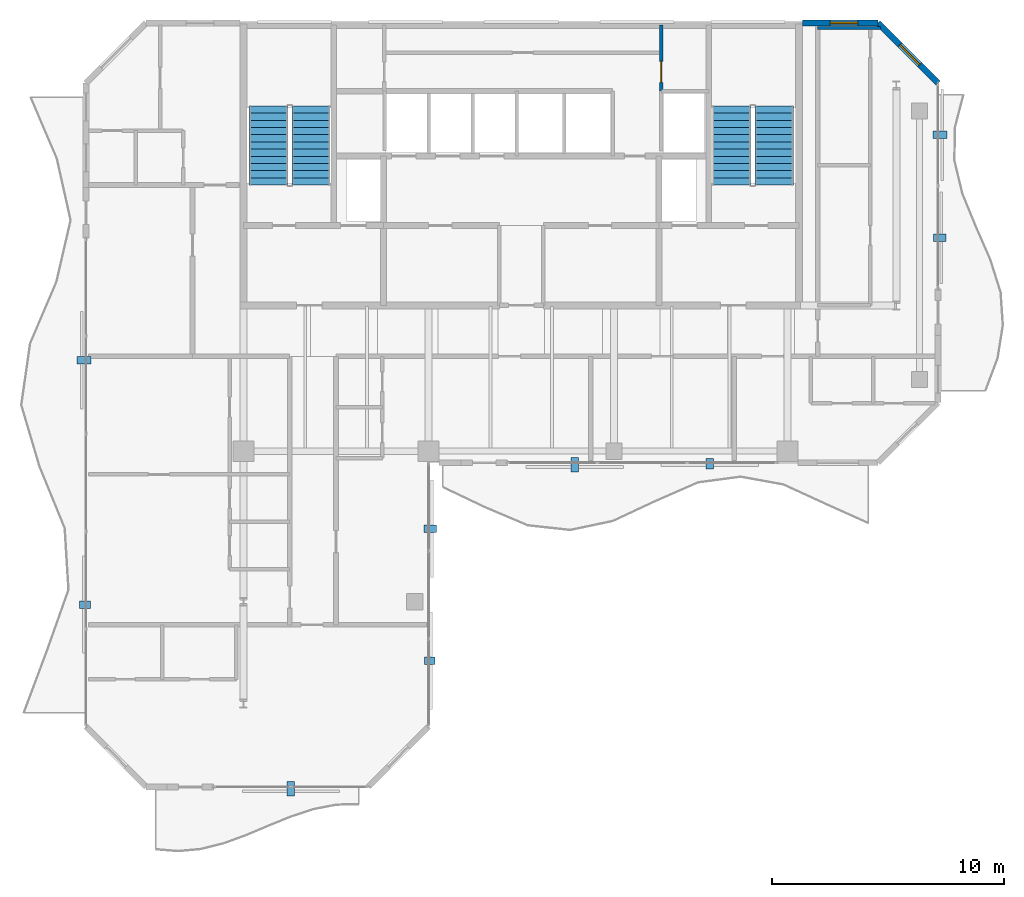
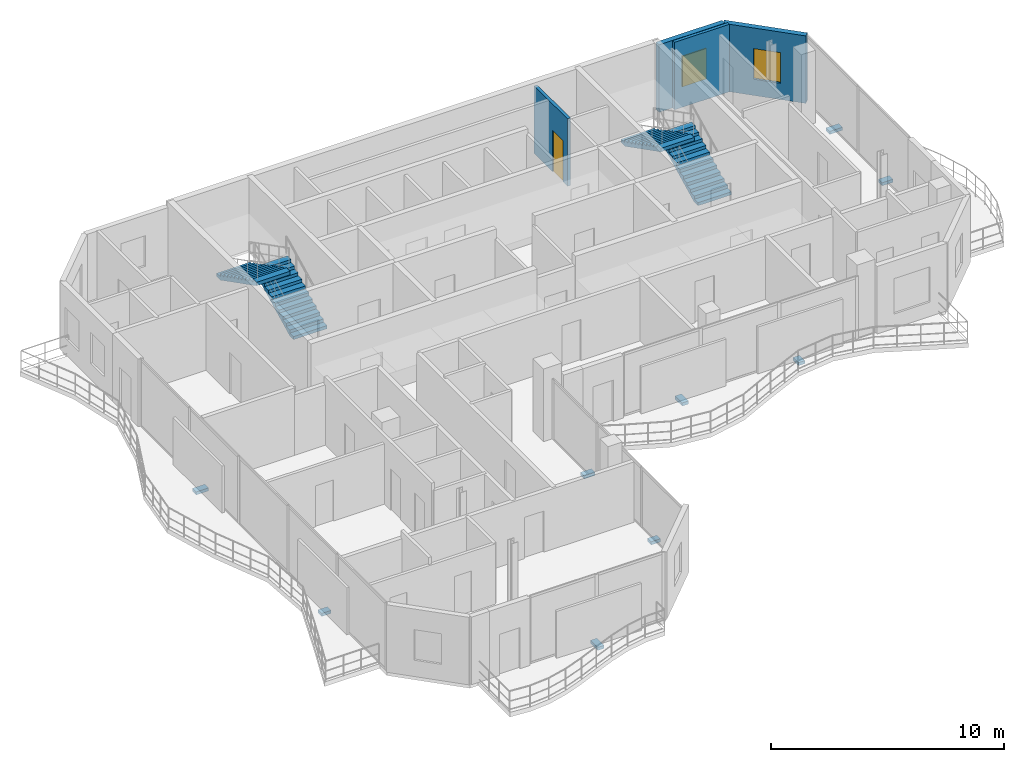
# One storey, part 15 of 17: 9 discrete accessories, 4 stair flights, 4 walls, 2 windows, 1 door, 3 openings, 2 elements without a shape of their own.
"""IFC4 building model written with IfcOpenShell, lengths in metres."""

from ifc_helpers import new_model, si_unit, direction, frame, frame_2d, origin, origin_2d, place, context, subcontext, project, spatial, polyline, rectangle, outline, extrude, material, layer, layer_set, type_object, element, fill, aggregate, save


model = new_model("IFC4")

# Units and contexts
model_context = context("Model", 3, precision=1e-05, world=origin(), true_north=direction((0.0, 1.0)))
body_context = subcontext(model_context, "Body", "Model", "MODEL_VIEW")
ifc_project = project(units=[si_unit("LENGTHUNIT", "METRE"), si_unit("AREAUNIT", "SQUARE_METRE"), si_unit("VOLUMEUNIT", "CUBIC_METRE"), si_unit("PLANEANGLEUNIT", "RADIAN"), si_unit("MASSUNIT", "GRAM", prefix="KILO")], contexts=[model_context])

# Site, building, storey
site_placement = place(None, origin())
site = spatial("IfcSite", under=ifc_project, at=site_placement, CompositionType="ELEMENT")
building_placement = place(site_placement, origin())
building = spatial("IfcBuilding", under=site, at=building_placement, Name="Catumbela Crestline Tower", CompositionType="ELEMENT")
storey_placement = place(building_placement, frame((0.0, 0.0, 271.6)))
storey = spatial("IfcBuildingStorey", under=building, at=storey_placement, Name="L70", CompositionType="ELEMENT", Elevation=271.6)

# Wall, opening, window
ifc_material_1 = material(Name="Angolan grey-ochre granite", Category="masonry")
ifc_layer_1 = layer(ifc_material_1, 0.25, Name="Angolan grey-ochre granite")
ifc_layer_set_1 = layer_set([ifc_layer_1], Name="Angolan grey-ochre granite")
wall_type_1 = type_object("IfcWallType", Name="WE-250", PredefinedType="STANDARD", material=ifc_layer_set_1)
wall_1_placement = place(storey_placement, frame((46.0, 40.4, 0.0), z_axis=(0.0, 0.0, 1.0), x_axis=(-0.707106781187, 0.707106781187, 0.0)))
wall_1 = element("IfcWall", 1, at=wall_1_placement, inside=storey, type_object=wall_type_1, Name="L70 Granite Punched Window Wall 6-1", PredefinedType="STANDARD", context=body_context, shape_type="SweptSolid", body=[
    extrude(rectangle(XDim=3.677, YDim=0.25, at=frame_2d((1.8385, 0.0))), origin(), (0.0, 0.0, 1.0), 3.53),
])
opening_1_placement = place(wall_1_placement, frame((1.1282, 0.0, 0.85)))
opening_1 = element("IfcOpeningElement", 2, at=opening_1_placement, cuts=wall_1, Name="Opening WN-02", PredefinedType="OPENING", context=body_context, shape_type="SweptSolid", body=[
    extrude(rectangle(XDim=1.2, YDim=1.6, at=frame_2d((0.6, 0.8))), frame((0.0, 0.135, 0.0), z_axis=(0.0, -1.0, 0.0), x_axis=(1.0, 0.0, 0.0)), (0.0, 0.0, 1.0), 0.27),
])
ifc_material_2 = material(Name="Low-E laminated solar-control double glazing", Category="glass")
window_type = type_object("IfcWindowType", Name="WO-1200", PartitioningType="SINGLE_PANEL", PredefinedType="WINDOW", material=ifc_material_2)
window_1_placement = place(opening_1_placement, origin())
window_1 = element("IfcWindow", 3, at=window_1_placement, inside=storey, type_object=window_type, Name="L70 Facade Vision Window 556", OverallHeight=1.6, OverallWidth=1.2, PartitioningType="SINGLE_PANEL", PredefinedType="WINDOW", context=body_context, shape_type="SweptSolid", body=[
    extrude(rectangle(XDim=1.2, YDim=1.6, at=frame_2d((0.6, 0.8))), frame((0.0, 0.03, 0.0), z_axis=(0.0, -1.0, 0.0), x_axis=(1.0, 0.0, 0.0)), (0.0, 0.0, 1.0), 0.06),
])
fill(opening_1, window_1)

wall_2_placement = place(storey_placement, frame((43.4, 43.0, 0.0), z_axis=(0.0, 0.0, 1.0), x_axis=(-1.0, 0.0, 0.0)))
wall_2 = element("IfcWall", 4, at=wall_2_placement, inside=storey, type_object=wall_type_1, Name="L70 Granite Punched Window Wall 7-1", PredefinedType="STANDARD", context=body_context, shape_type="SweptSolid", body=[
    extrude(rectangle(XDim=3.26, YDim=0.25, at=frame_2d((1.63, 0.0))), origin(), (0.0, 0.0, 1.0), 3.53),
])
opening_2_placement = place(wall_2_placement, frame((0.86, 0.0, 0.85)))
opening_2 = element("IfcOpeningElement", 5, at=opening_2_placement, cuts=wall_2, Name="Opening WN-02", PredefinedType="OPENING", context=body_context, shape_type="SweptSolid", body=[
    extrude(rectangle(XDim=1.2, YDim=1.6, at=frame_2d((0.6, 0.8))), frame((0.0, 0.135, 0.0), z_axis=(0.0, -1.0, 0.0), x_axis=(1.0, 0.0, 0.0)), (0.0, 0.0, 1.0), 0.27),
])
window_2_placement = place(opening_2_placement, origin())
window_2 = element("IfcWindow", 6, at=window_2_placement, inside=storey, type_object=window_type, Name="L70 Facade Vision Window 557", OverallHeight=1.6, OverallWidth=1.2, PartitioningType="SINGLE_PANEL", PredefinedType="WINDOW", context=body_context, shape_type="SweptSolid", body=[
    extrude(rectangle(XDim=1.2, YDim=1.6, at=frame_2d((0.6, 0.8))), frame((0.0, 0.03, 0.0), z_axis=(0.0, -1.0, 0.0), x_axis=(1.0, 0.0, 0.0)), (0.0, 0.0, 1.0), 0.06),
])
fill(opening_2, window_2)

# Wall, opening, door
ifc_material_3 = material(Name="Acoustic gypsum and mineral-wool partition")
ifc_layer_2 = layer(ifc_material_3, 0.15, Name="Acoustic gypsum and mineral-wool partition")
ifc_layer_set_2 = layer_set([ifc_layer_2], Name="Acoustic gypsum and mineral-wool partition")
wall_type_2 = type_object("IfcWallType", Name="WP-150", PredefinedType="PARTITIONING", material=ifc_layer_set_2)
wall_3_placement = place(storey_placement, frame((34.05, 40.05, 0.0), z_axis=(0.0, 0.0, 1.0), x_axis=(0.0, 1.0, 0.0)))
wall_3 = element("IfcWall", 7, at=wall_3_placement, inside=storey, type_object=wall_type_2, Name="L70 Interior Partition PW-L70-CR-EW", PredefinedType="PARTITIONING", context=body_context, shape_type="SweptSolid", body=[
    extrude(rectangle(XDim=2.85, YDim=0.15, at=frame_2d((1.425, 0.0))), origin(), (0.0, 0.0, 1.0), 3.53),
])
opening_3_placement = place(wall_3_placement, frame((0.385, 0.0, 0.0)))
opening_3 = element("IfcOpeningElement", 8, at=opening_3_placement, cuts=wall_3, Name="Opening DF9-090", PredefinedType="OPENING", context=body_context, shape_type="SweptSolid", body=[
    extrude(rectangle(XDim=0.9, YDim=2.15, at=frame_2d((0.45, 1.075))), frame((0.0, 0.085, 0.0), z_axis=(0.0, -1.0, 0.0), x_axis=(1.0, 0.0, 0.0)), (0.0, 0.0, 1.0), 0.17),
])
ifc_material_4 = material(Name="Stainless steel EN 1.4401", Category="steel")
door_type = type_object("IfcDoorType", Name="DF9-090", OperationType="NOTDEFINED", PredefinedType="DOOR", material=ifc_material_4)
door_placement = place(opening_3_placement, origin())
door = element("IfcDoor", 9, at=door_placement, inside=storey, type_object=door_type, Name="L70 Interior Door DR-L70-CREAST", OperationType="SINGLE_SWING_RIGHT", OverallHeight=2.15, OverallWidth=0.9, PredefinedType="DOOR", context=body_context, shape_type="SweptSolid", body=[
    extrude(rectangle(XDim=0.9, YDim=2.15, at=frame_2d((0.45, 1.075))), frame((0.0, 0.025, 0.0), z_axis=(0.0, -1.0, 0.0), x_axis=(1.0, 0.0, 0.0)), (0.0, 0.0, 1.0), 0.05),
])
fill(opening_3, door)

# Wall
wall_4_placement = place(storey_placement, frame((40.8, 42.78, 0.0), z_axis=(0.0, 0.0, 1.0), x_axis=(1.0, 0.0, 0.0)))
element("IfcWall", 10, at=wall_4_placement, inside=storey, type_object=wall_type_2, Name="L70 Interior Partition PW-L70-NE1-BTH-BCL-2", PredefinedType="PARTITIONING", context=body_context, shape_type="SweptSolid", body=[
    extrude(rectangle(XDim=2.72, YDim=0.15, at=frame_2d((1.36, 0.0))), origin(), (0.0, 0.0, 1.0), 3.53),
])

# Stair, stair flights
ifc_material_5 = material(Name="Concrete C45/55", Category="concrete")
stair_type = type_object("IfcStairType", Name="ST-DLG", PredefinedType="HALF_TURN_STAIR", material=ifc_material_5)
stair_1_placement = place(storey_placement, origin())
stair_1 = element("IfcStair", 11, at=stair_1_placement, inside=storey, type_object=stair_type, Name="L70 West Core Pressurised Exit Stair ST-01", PredefinedType="HALF_TURN_STAIR")
stair_flight_type = type_object("IfcStairFlightType", Name="SF-1583", PredefinedType="STRAIGHT", material=ifc_material_5)
stair_flight_1_placement = place(storey_placement, frame((18.92, 36.0, 0.0), z_axis=(0.0, 0.0, 1.0), x_axis=(0.0, 1.0, 0.0)))
stair_flight_1 = element("IfcStairFlight", 12, at=stair_flight_1_placement, type_object=stair_flight_type, Name="ST-01 flight 1", NumberOfRisers=12, NumberOfTreads=11, PredefinedType="STRAIGHT", RiserHeight=0.158333333, TreadLength=0.31, context=body_context, shape_type="SweptSolid", body=[
    extrude(outline(polyline([(0.0, 0.0), (0.0, 0.1583), (0.31, 0.1583), (0.31, 0.3167), (0.62, 0.3167), (0.62, 0.475), (0.93, 0.475), (0.93, 0.6333), (1.24, 0.6333), (1.24, 0.7917), (1.55, 0.7917), (1.55, 0.95), (1.86, 0.95), (1.86, 1.1083), (2.17, 1.1083), (2.17, 1.2667), (2.48, 1.2667), (2.48, 1.425), (2.79, 1.425), (2.79, 1.5833), (3.1, 1.5833), (3.1, 1.7417), (3.41, 1.7417), (3.41, 1.9), (3.41, 1.562), (0.3518, 0.0), (0.0, 0.0)])), frame((0.0, 0.83, 0.0), z_axis=(0.0, -1.0, 0.0), x_axis=(1.0, 0.0, 0.0)), (0.0, 0.0, 1.0), 1.66),
])
stair_flight_2_placement = place(storey_placement, frame((17.08, 39.41, 1.9), z_axis=(0.0, 0.0, 1.0), x_axis=(0.0, -1.0, 0.0)))
stair_flight_2 = element("IfcStairFlight", 13, at=stair_flight_2_placement, type_object=stair_flight_type, Name="ST-01 flight 2", NumberOfRisers=12, NumberOfTreads=11, PredefinedType="STRAIGHT", RiserHeight=0.158333333, TreadLength=0.31, context=body_context, shape_type="SweptSolid", body=[
    extrude(outline(polyline([(0.0, 0.0), (0.0, 0.1583), (0.31, 0.1583), (0.31, 0.3167), (0.62, 0.3167), (0.62, 0.475), (0.93, 0.475), (0.93, 0.6333), (1.24, 0.6333), (1.24, 0.7917), (1.55, 0.7917), (1.55, 0.95), (1.86, 0.95), (1.86, 1.1083), (2.17, 1.1083), (2.17, 1.2667), (2.48, 1.2667), (2.48, 1.425), (2.79, 1.425), (2.79, 1.5833), (3.1, 1.5833), (3.1, 1.7417), (3.41, 1.7417), (3.41, 1.9), (3.41, 1.562), (0.3518, 0.0), (0.0, 0.0)])), frame((0.0, 0.83, 0.0), z_axis=(0.0, -1.0, 0.0), x_axis=(1.0, 0.0, 0.0)), (0.0, 0.0, 1.0), 1.66),
])
aggregate(stair_1, [stair_flight_1, stair_flight_2])

stair_2_placement = place(storey_placement, origin())
stair_2 = element("IfcStair", 14, at=stair_2_placement, inside=storey, type_object=stair_type, Name="L70 East Core Pressurised Exit Stair ST-02", PredefinedType="HALF_TURN_STAIR")
stair_flight_3_placement = place(storey_placement, frame((38.92, 36.0, 0.0), z_axis=(0.0, 0.0, 1.0), x_axis=(0.0, 1.0, 0.0)))
stair_flight_3 = element("IfcStairFlight", 15, at=stair_flight_3_placement, type_object=stair_flight_type, Name="ST-02 flight 1", NumberOfRisers=12, NumberOfTreads=11, PredefinedType="STRAIGHT", RiserHeight=0.158333333, TreadLength=0.31, context=body_context, shape_type="SweptSolid", body=[
    extrude(outline(polyline([(0.0, 0.0), (0.0, 0.1583), (0.31, 0.1583), (0.31, 0.3167), (0.62, 0.3167), (0.62, 0.475), (0.93, 0.475), (0.93, 0.6333), (1.24, 0.6333), (1.24, 0.7917), (1.55, 0.7917), (1.55, 0.95), (1.86, 0.95), (1.86, 1.1083), (2.17, 1.1083), (2.17, 1.2667), (2.48, 1.2667), (2.48, 1.425), (2.79, 1.425), (2.79, 1.5833), (3.1, 1.5833), (3.1, 1.7417), (3.41, 1.7417), (3.41, 1.9), (3.41, 1.562), (0.3518, 0.0), (0.0, 0.0)])), frame((0.0, 0.83, 0.0), z_axis=(0.0, -1.0, 0.0), x_axis=(1.0, 0.0, 0.0)), (0.0, 0.0, 1.0), 1.66),
])
stair_flight_4_placement = place(storey_placement, frame((37.08, 39.41, 1.9), z_axis=(0.0, 0.0, 1.0), x_axis=(0.0, -1.0, 0.0)))
stair_flight_4 = element("IfcStairFlight", 16, at=stair_flight_4_placement, type_object=stair_flight_type, Name="ST-02 flight 2", NumberOfRisers=12, NumberOfTreads=11, PredefinedType="STRAIGHT", RiserHeight=0.158333333, TreadLength=0.31, context=body_context, shape_type="SweptSolid", body=[
    extrude(outline(polyline([(0.0, 0.0), (0.0, 0.1583), (0.31, 0.1583), (0.31, 0.3167), (0.62, 0.3167), (0.62, 0.475), (0.93, 0.475), (0.93, 0.6333), (1.24, 0.6333), (1.24, 0.7917), (1.55, 0.7917), (1.55, 0.95), (1.86, 0.95), (1.86, 1.1083), (2.17, 1.1083), (2.17, 1.2667), (2.48, 1.2667), (2.48, 1.425), (2.79, 1.425), (2.79, 1.5833), (3.1, 1.5833), (3.1, 1.7417), (3.41, 1.7417), (3.41, 1.9), (3.41, 1.562), (0.3518, 0.0), (0.0, 0.0)])), frame((0.0, 0.83, 0.0), z_axis=(0.0, -1.0, 0.0), x_axis=(1.0, 0.0, 0.0)), (0.0, 0.0, 1.0), 1.66),
])
aggregate(stair_2, [stair_flight_3, stair_flight_4])

# Discrete accessories
discrete_accessory_type = type_object("IfcDiscreteAccessoryType", Name="BK-SS1", PredefinedType="BRACKET", material=ifc_material_4)
discrete_accessory_1_placement = place(storey_placement, frame((18.05, 9.915, -0.18), z_axis=(0.0, 0.0, 1.0), x_axis=(1.0, 0.0, 0.0)))
element("IfcDiscreteAccessory", 17, at=discrete_accessory_1_placement, inside=storey, type_object=discrete_accessory_type, Name="L70 Solar Screen Stainless Bracket 859", PredefinedType="BRACKET", context=body_context, shape_type="SweptSolid", body=[
    extrude(rectangle(XDim=0.32, YDim=0.62, at=origin_2d()), origin(), (0.0, 0.0, 1.0), 0.16),
])
discrete_accessory_2_placement = place(storey_placement, frame((24.045, 15.45, -0.18), z_axis=(0.0, 0.0, 1.0), x_axis=(0.0, 1.0, 0.0)))
element("IfcDiscreteAccessory", 18, at=discrete_accessory_2_placement, inside=storey, type_object=discrete_accessory_type, Name="L70 Solar Screen Stainless Bracket 860", PredefinedType="BRACKET", context=body_context, shape_type="SweptSolid", body=[
    extrude(rectangle(XDim=0.32, YDim=0.46, at=origin_2d()), origin(), (0.0, 0.0, 1.0), 0.16),
])
discrete_accessory_3_placement = place(storey_placement, frame((24.065, 21.15, -0.18), z_axis=(0.0, 0.0, 1.0), x_axis=(0.0, 1.0, 0.0)))
element("IfcDiscreteAccessory", 19, at=discrete_accessory_3_placement, inside=storey, type_object=discrete_accessory_type, Name="L70 Solar Screen Stainless Bracket 861", PredefinedType="BRACKET", context=body_context, shape_type="SweptSolid", body=[
    extrude(rectangle(XDim=0.32, YDim=0.54, at=origin_2d()), origin(), (0.0, 0.0, 1.0), 0.16),
])
discrete_accessory_4_placement = place(storey_placement, frame((30.3125, 23.915, -0.18), z_axis=(0.0, 0.0, 1.0), x_axis=(1.0, 0.0, 0.0)))
element("IfcDiscreteAccessory", 20, at=discrete_accessory_4_placement, inside=storey, type_object=discrete_accessory_type, Name="L70 Solar Screen Stainless Bracket 862", PredefinedType="BRACKET", context=body_context, shape_type="SweptSolid", body=[
    extrude(rectangle(XDim=0.32, YDim=0.62, at=origin_2d()), origin(), (0.0, 0.0, 1.0), 0.16),
])
discrete_accessory_5_placement = place(storey_placement, frame((36.1375, 23.955, -0.18), z_axis=(0.0, 0.0, 1.0), x_axis=(1.0, 0.0, 0.0)))
element("IfcDiscreteAccessory", 21, at=discrete_accessory_5_placement, inside=storey, type_object=discrete_accessory_type, Name="L70 Solar Screen Stainless Bracket 863", PredefinedType="BRACKET", context=body_context, shape_type="SweptSolid", body=[
    extrude(rectangle(XDim=0.32, YDim=0.46, at=origin_2d()), origin(), (0.0, 0.0, 1.0), 0.16),
])
discrete_accessory_6_placement = place(storey_placement, frame((46.065, 33.725, -0.18), z_axis=(0.0, 0.0, 1.0), x_axis=(0.0, 1.0, 0.0)))
element("IfcDiscreteAccessory", 22, at=discrete_accessory_6_placement, inside=storey, type_object=discrete_accessory_type, Name="L70 Solar Screen Stainless Bracket 864", PredefinedType="BRACKET", context=body_context, shape_type="SweptSolid", body=[
    extrude(rectangle(XDim=0.32, YDim=0.54, at=origin_2d()), origin(), (0.0, 0.0, 1.0), 0.16),
])
for number, where, z_axis, x_axis, name in (
    (23, (46.085, 38.175, -0.18), (0.0, 0.0, 1.0), (0.0, 1.0, 0.0), "L70 Solar Screen Stainless Bracket 865"),
    (24, (9.115, 28.425, -0.18), (0.0, 0.0, 1.0), (0.0, -1.0, 0.0), "L70 Solar Screen Stainless Bracket 866"),
):
    element("IfcDiscreteAccessory", number, at=place(storey_placement, frame(where, z_axis=z_axis, x_axis=x_axis)), inside=storey, type_object=discrete_accessory_type, Name=name, PredefinedType="BRACKET", context=body_context, shape_type="SweptSolid", body=[
        extrude(rectangle(XDim=0.32, YDim=0.62, at=origin_2d()), origin(), (0.0, 0.0, 1.0), 0.16),
    ])
discrete_accessory_7_placement = place(storey_placement, frame((9.155, 17.875, -0.18), z_axis=(0.0, 0.0, 1.0), x_axis=(0.0, -1.0, 0.0)))
element("IfcDiscreteAccessory", 25, at=discrete_accessory_7_placement, inside=storey, type_object=discrete_accessory_type, Name="L70 Solar Screen Stainless Bracket 867", PredefinedType="BRACKET", context=body_context, shape_type="SweptSolid", body=[
    extrude(rectangle(XDim=0.32, YDim=0.46, at=origin_2d()), origin(), (0.0, 0.0, 1.0), 0.16),
])

save(model, "model.ifc")
